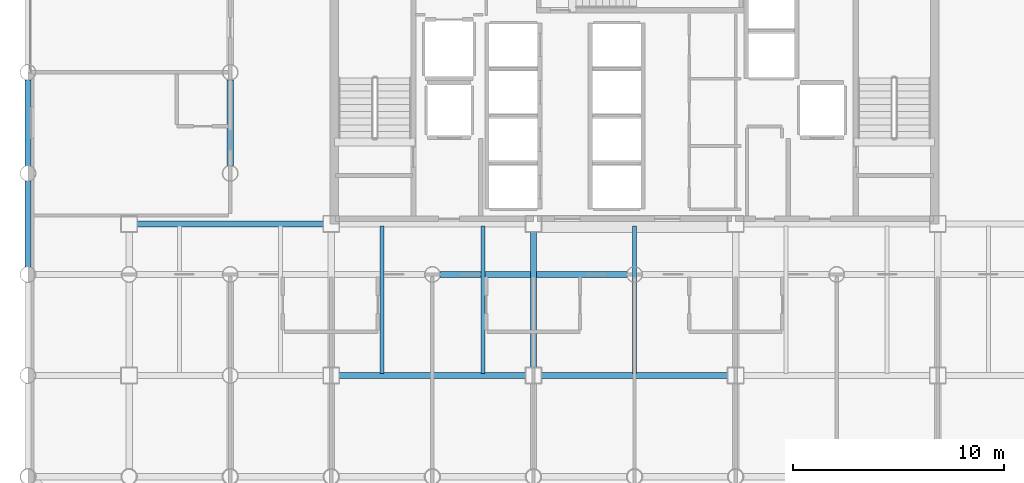
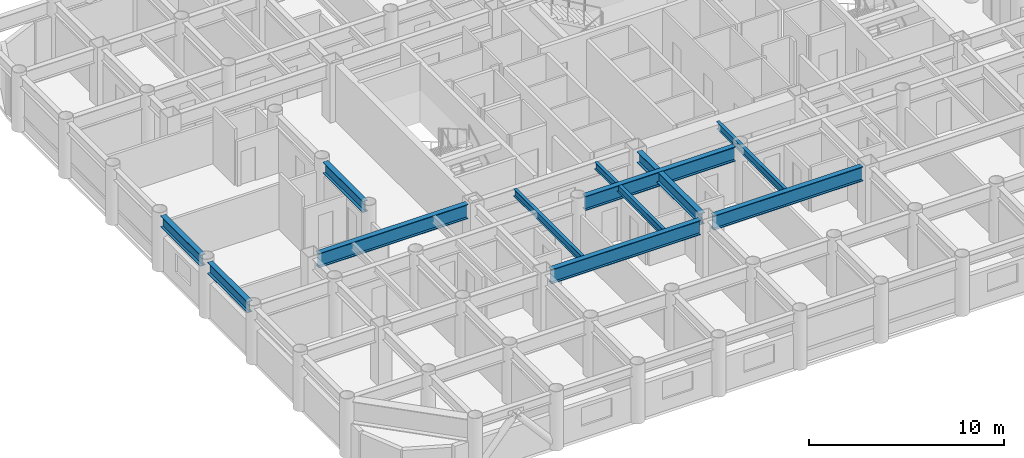
# One storey, part 3 of 21: 11 beams.
"""IFC4 building model written with IfcOpenShell, lengths in metres."""

from ifc_helpers import new_model, si_unit, direction, frame, origin, origin_2d, place, context, subcontext, project, spatial, i_section, extrude, material, material_profile, profile_set, type_object, element, save


model = new_model("IFC4")

# Units and contexts
model_context = context("Model", 3, precision=1e-05, world=origin(), true_north=direction((0.0, 1.0)))
body_context = subcontext(model_context, "Body", "Model", "MODEL_VIEW")
ifc_project = project(units=[si_unit("LENGTHUNIT", "METRE"), si_unit("AREAUNIT", "SQUARE_METRE"), si_unit("VOLUMEUNIT", "CUBIC_METRE"), si_unit("PLANEANGLEUNIT", "RADIAN"), si_unit("MASSUNIT", "GRAM", prefix="KILO")], contexts=[model_context])

# Site, building, storey
site_placement = place(None, origin())
site = spatial("IfcSite", under=ifc_project, at=site_placement, CompositionType="ELEMENT")
building_placement = place(site_placement, origin())
building = spatial("IfcBuilding", under=site, at=building_placement, Name="Kallvorn Hotel Tower", CompositionType="ELEMENT")
storey_placement = place(building_placement, frame((0.0, 0.0, 81.800048828125)))
storey = spatial("IfcBuildingStorey", under=building, at=storey_placement, Name="L19", CompositionType="ELEMENT", Elevation=81.800048828125)

# Beams
ifc_material_1 = material(Name="Structural steel S355JR", Category="steel")
ifc_material_profile_1 = material_profile(ifc_material_1, i_section(OverallWidth=0.300048828125, OverallDepth=0.699951171875, WebThickness=0.01708984375, FlangeThickness=0.031982421875, at=origin_2d()), Name="HE 700 B")
ifc_profile_set_1 = profile_set([ifc_material_profile_1], Name="Structural steel S355JR")
beam_type_1 = type_object("IfcBeamType", Name="BM_HE700B", PredefinedType="BEAM", material=ifc_profile_set_1)
beam_1_placement = place(storey_placement, frame((-28.800048828125, -9.243896484375, 3.169921875), z_axis=(0.0, 1.0, 0.0), x_axis=(-1.0, 0.0, 0.0)))
element("IfcBeam", 1, at=beam_1_placement, inside=storey, type_object=beam_type_1, Name="L20 Primary Y-Girder 75", PredefinedType="BEAM", context=body_context, shape_type="SweptSolid", body=[
    extrude(i_section(OverallWidth=0.300048828125, OverallDepth=0.699951171875, WebThickness=0.01708984375, FlangeThickness=0.031982421875, at=origin_2d()), origin(), (0.0, 0.0, 1.0), 4.087890625),
])
for number, where, z_axis, x_axis, name in (
    (2, (-28.800048828125, -4.444091796875, 3.169921875), (0.0, 1.0, 0.0), (-1.0, 0.0, 0.0), "L20 Primary Y-Girder 76"),
    (3, (-19.199951171875, -4.444091796875, 3.169921875), (0.0, 1.0, 0.0), (-1.0, 0.0, 0.0), "L20 Primary Y-Girder 92"),
):
    element("IfcBeam", number, at=place(storey_placement, frame(where, z_axis=z_axis, x_axis=x_axis)), inside=storey, type_object=beam_type_1, Name=name, PredefinedType="BEAM", context=body_context, shape_type="SweptSolid", body=[
        extrude(i_section(OverallWidth=0.300048828125, OverallDepth=0.699951171875, WebThickness=0.01708984375, FlangeThickness=0.031982421875, at=origin_2d()), origin(), (0.0, 0.0, 1.0), 4.088134765625),
    ])
beam_2_placement = place(storey_placement, frame((-4.800048828125, -14.02490234375, 3.169921875), z_axis=(0.0, 1.0, 0.0), x_axis=(-1.0, 0.0, 0.0)))
element("IfcBeam", 4, at=beam_2_placement, inside=storey, type_object=beam_type_1, Name="L20 Primary Y-Girder 107", PredefinedType="BEAM", context=body_context, shape_type="SweptSolid", body=[
    extrude(i_section(OverallWidth=0.300048828125, OverallDepth=0.699951171875, WebThickness=0.01708984375, FlangeThickness=0.031982421875, at=origin_2d()), origin(), (0.0, 0.0, 1.0), 6.449951171875),
])
ifc_material_2 = material(Name="Structural steel S355JR", Category="steel")
ifc_material_profile_2 = material_profile(ifc_material_2, i_section(OverallWidth=0.300048828125, OverallDepth=0.89990234375, WebThickness=0.0185546875, FlangeThickness=0.034912109375, at=origin_2d()), Name="HE 900 B")
ifc_profile_set_2 = profile_set([ifc_material_profile_2], Name="Structural steel S355JR")
beam_type_2 = type_object("IfcBeamType", Name="BM_HE900B", PredefinedType="BEAM", material=ifc_profile_set_2)
beam_3_placement = place(storey_placement, frame((-14.02490234375, -14.39990234375, 3.070068359375), z_axis=(1.0, 0.0, 0.0), x_axis=(0.0, 1.0, 0.0)))
element("IfcBeam", 5, at=beam_3_placement, inside=storey, type_object=beam_type_2, Name="L20 Primary X-Girder 17", PredefinedType="BEAM", context=body_context, shape_type="SweptSolid", body=[
    extrude(i_section(OverallWidth=0.300048828125, OverallDepth=0.89990234375, WebThickness=0.0185546875, FlangeThickness=0.034912109375, at=origin_2d()), origin(), (0.0, 0.0, 1.0), 8.849853515625),
])
beam_4_placement = place(storey_placement, frame((-4.425048828125, -14.39990234375, 3.070068359375), z_axis=(1.0, 0.0, 0.0), x_axis=(0.0, 1.0, 0.0)))
element("IfcBeam", 6, at=beam_4_placement, inside=storey, type_object=beam_type_2, Name="L20 Primary X-Girder 18", PredefinedType="BEAM", context=body_context, shape_type="SweptSolid", body=[
    extrude(i_section(OverallWidth=0.300048828125, OverallDepth=0.89990234375, WebThickness=0.0185546875, FlangeThickness=0.034912109375, at=origin_2d()), origin(), (0.0, 0.0, 1.0), 8.85009765625),
])
beam_5_placement = place(storey_placement, frame((-9.243896484375, -9.60009765625, 3.070068359375), z_axis=(1.0, 0.0, 0.0), x_axis=(0.0, 1.0, 0.0)))
element("IfcBeam", 7, at=beam_5_placement, inside=storey, type_object=beam_type_2, Name="L20 Primary X-Girder 27", PredefinedType="BEAM", context=body_context, shape_type="SweptSolid", body=[
    extrude(i_section(OverallWidth=0.300048828125, OverallDepth=0.89990234375, WebThickness=0.0185546875, FlangeThickness=0.034912109375, at=origin_2d()), origin(), (0.0, 0.0, 1.0), 8.887939453125),
])
beam_6_placement = place(storey_placement, frame((-23.625, -7.199951171875, 3.070068359375), z_axis=(1.0, 0.0, 0.0), x_axis=(0.0, 1.0, 0.0)))
element("IfcBeam", 8, at=beam_6_placement, inside=storey, type_object=beam_type_2, Name="L20 Primary X-Girder 33", PredefinedType="BEAM", context=body_context, shape_type="SweptSolid", body=[
    extrude(i_section(OverallWidth=0.300048828125, OverallDepth=0.89990234375, WebThickness=0.0185546875, FlangeThickness=0.034912109375, at=origin_2d()), origin(), (0.0, 0.0, 1.0), 8.85009765625),
])
ifc_material_3 = material(Name="Structural steel S355JR", Category="steel")
ifc_material_profile_3 = material_profile(ifc_material_3, i_section(OverallWidth=0.18994140625, OverallDepth=0.449951171875, WebThickness=0.009521484375, FlangeThickness=0.0146484375, at=origin_2d()), Name="IPE 450")
ifc_profile_set_3 = profile_set([ifc_material_profile_3], Name="Structural steel S355JR")
beam_type_3 = type_object("IfcBeamType", Name="BM_IPE450", PredefinedType="JOIST", material=ifc_profile_set_3)
for number, where, z_axis, x_axis, name in (
    (9, (-12.0, -14.300048828125, 3.294921875), (0.0, 1.0, 0.0), (-1.0, 0.0, 0.0), "L20 Secondary Composite Joist 196"),
    (10, (-7.199951171875, -14.300048828125, 3.294921875), (0.0, 1.0, 0.0), (-1.0, 0.0, 0.0), "L20 Secondary Composite Joist 198"),
    (11, (0.0, -14.300048828125, 3.294921875), (0.0, 1.0, 0.0), (-1.0, 0.0, 0.0), "L20 Secondary Composite Joist 200"),
):
    element("IfcBeam", number, at=place(storey_placement, frame(where, z_axis=z_axis, x_axis=x_axis)), inside=storey, type_object=beam_type_3, Name=name, PredefinedType="JOIST", context=body_context, shape_type="SweptSolid", body=[
        extrude(i_section(OverallWidth=0.18994140625, OverallDepth=0.449951171875, WebThickness=0.009521484375, FlangeThickness=0.0146484375, at=origin_2d()), origin(), (0.0, 0.0, 1.0), 7.0),
    ])

save(model, "model.ifc")
